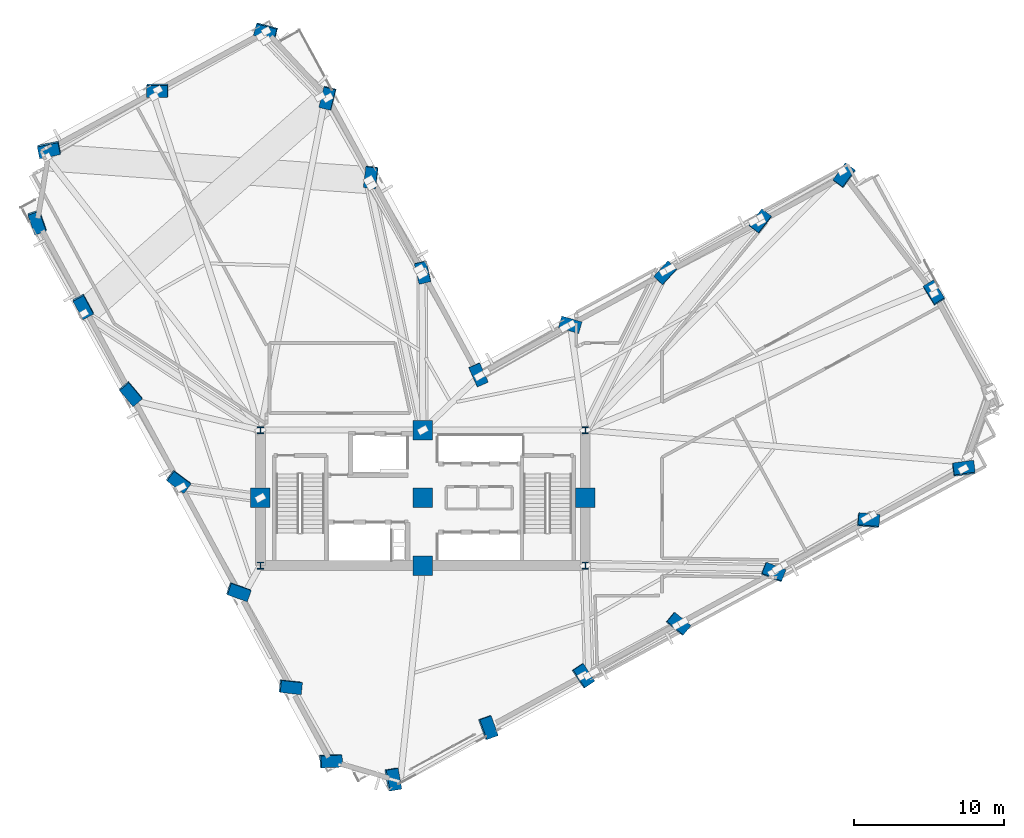
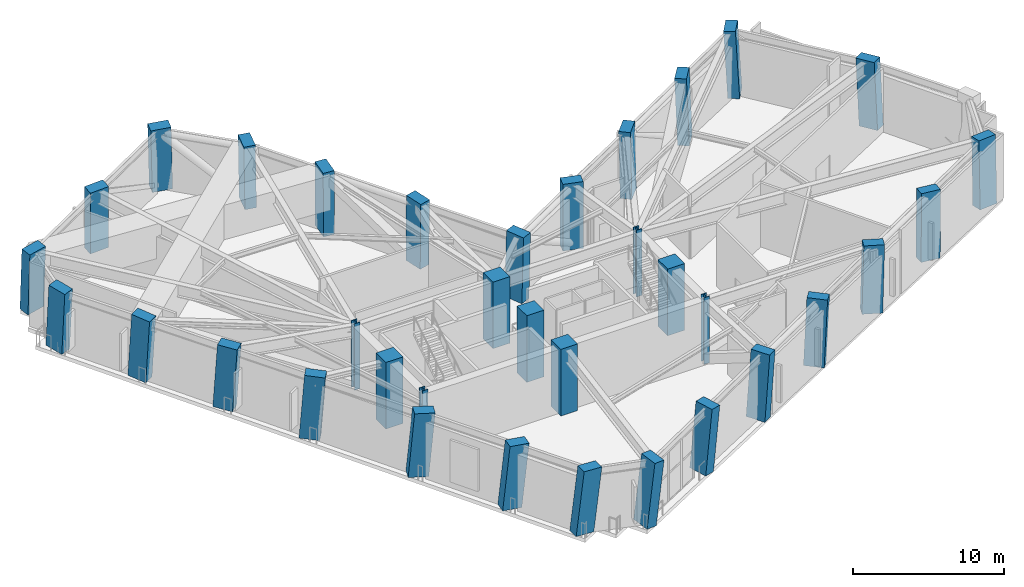
# One storey, part 1 of 15: 35 columns.
"""IFC4 building model written with IfcOpenShell, lengths in metres."""

from ifc_helpers import new_model, si_unit, direction, frame, origin, origin_2d, place, context, subcontext, project, spatial, rectangle, i_section, extrude, material, material_profile, profile_set, type_object, element, save


model = new_model("IFC4")

# Units and contexts
model_context = context("Model", 3, precision=1e-05, world=origin(), true_north=direction((0.0, 1.0)))
body_context = subcontext(model_context, "Body", "Model", "MODEL_VIEW")
ifc_project = project(units=[si_unit("LENGTHUNIT", "METRE"), si_unit("AREAUNIT", "SQUARE_METRE"), si_unit("VOLUMEUNIT", "CUBIC_METRE"), si_unit("PLANEANGLEUNIT", "RADIAN"), si_unit("MASSUNIT", "GRAM", prefix="KILO")], contexts=[model_context])

# Site, building, storey
site_placement = place(None, origin())
site = spatial("IfcSite", under=ifc_project, at=site_placement, CompositionType="ELEMENT")
building_placement = place(site_placement, origin())
building = spatial("IfcBuilding", under=site, at=building_placement, Name="Gaonmaruhae Medical Tower", CompositionType="ELEMENT")
storey_placement = place(building_placement, frame((0.0, 0.0, 144.39990234375)))
storey = spatial("IfcBuildingStorey", under=building, at=storey_placement, Name="L34", CompositionType="ELEMENT", Elevation=144.39990234375)

# Columns
ifc_material_1 = material(Name="Concrete C60/75", Category="concrete")
ifc_material_profile_1 = material_profile(ifc_material_1, rectangle(XDim=1.300048828125, YDim=1.300048828125, at=origin_2d()), Name="RC-1300x1300")
ifc_profile_set_1 = profile_set([ifc_material_profile_1], Name="Concrete C60/75")
column_type_1 = type_object("IfcColumnType", Name="CC-03 Zone 2 Core Column (RC-1300x1300)", PredefinedType="COLUMN", material=ifc_profile_set_1)
for number, where, z_axis, x_axis, name in (
    (1, (14.0, 12.300048828125, 0.0), (0.0, 0.0, 1.0), (1.0, 0.0, 0.0), "L34 Plumb Core Column CC12"),
    (2, (24.800048828125, 7.800048828125, 0.0), (0.0, 0.0, 1.0), (1.0, 0.0, 0.0), "L34 Plumb Core Column CC21"),
    (3, (24.800048828125, 12.300048828125, 0.0), (0.0, 0.0, 1.0), (1.0, 0.0, 0.0), "L34 Plumb Core Column CC22"),
    (4, (24.800048828125, 16.800048828125, 0.0), (0.0, 0.0, 1.0), (1.0, 0.0, 0.0), "L34 Plumb Core Column CC23"),
    (5, (35.60009765625, 12.300048828125, 0.0), (0.0, 0.0, 1.0), (1.0, 0.0, 0.0), "L34 Plumb Core Column CC32"),
):
    element("IfcColumn", number, at=place(storey_placement, frame(where, z_axis=z_axis, x_axis=x_axis)), inside=storey, type_object=column_type_1, Name=name, PredefinedType="COLUMN", context=body_context, shape_type="SweptSolid", body=[
        extrude(rectangle(XDim=1.300048828125, YDim=1.300048828125, at=origin_2d()), origin(), (0.0, 0.0, 1.0), 5.400146484375),
    ])
ifc_material_2 = material(Name="Steel HSA650 (650 MPa)", Category="steel")
ifc_material_profile_2 = material_profile(ifc_material_2, i_section(OverallWidth=0.4169921875, OverallDepth=0.4580078125, WebThickness=0.030029296875, FlangeThickness=0.050048828125, FilletRadius=0.02197265625, at=origin_2d()), Name="H-458x417x30x50")
ifc_profile_set_2 = profile_set([ifc_material_profile_2], Name="Steel HSA650 (650 MPa)")
column_type_2 = type_object("IfcColumnType", Name="SC-03 Refuge Core Collector Column (H-458x417x30x50)", PredefinedType="COLUMN", material=ifc_profile_set_2)
for number, where, z_axis, x_axis, name in (
    (6, (14.0, 7.800048828125, 0.0), (0.0, 0.0, 1.0), (1.0, 0.0, 0.0), "L34 Plumb Core Column CC11"),
    (7, (14.0, 16.800048828125, 0.0), (0.0, 0.0, 1.0), (1.0, 0.0, 0.0), "L34 Plumb Core Column CC13"),
    (8, (35.60009765625, 7.800048828125, 0.0), (0.0, 0.0, 1.0), (1.0, 0.0, 0.0), "L34 Plumb Core Column CC31"),
    (9, (35.60009765625, 16.800048828125, 0.0), (0.0, 0.0, 1.0), (1.0, 0.0, 0.0), "L34 Plumb Core Column CC33"),
):
    element("IfcColumn", number, at=place(storey_placement, frame(where, z_axis=z_axis, x_axis=x_axis)), inside=storey, type_object=column_type_2, Name=name, PredefinedType="COLUMN", context=body_context, shape_type="SweptSolid", body=[
        extrude(i_section(OverallWidth=0.4169921875, OverallDepth=0.4580078125, WebThickness=0.030029296875, FlangeThickness=0.050048828125, FilletRadius=0.02197265625, at=origin_2d()), origin(), (0.0, 0.0, 1.0), 5.400146484375),
    ])
ifc_material_profile_3 = material_profile(ifc_material_1, rectangle(XDim=1.39990234375, YDim=0.800048828125, at=origin_2d()), Name="RC-1400x800")
ifc_profile_set_3 = profile_set([ifc_material_profile_3], Name="Concrete C60/75")
column_type_3 = type_object("IfcColumnType", Name="TC-02 Mid Raking Tube Pier Column (RC-1400x800)", PredefinedType="COLUMN", material=ifc_profile_set_3)
column_1_placement = place(storey_placement, frame((22.780517578125, -6.398681640625, 0.07177734375), z_axis=(0.095557691523, -0.032299239059, 0.994899737032), x_axis=(-0.168322755438, 0.984556200486, 0.048130427866)))
element("IfcColumn", 10, at=column_1_placement, inside=storey, type_object=column_type_3, Name="L34 Perimeter Tube Column S01", PredefinedType="COLUMN", context=body_context, shape_type="SweptSolid", body=[
    extrude(rectangle(XDim=1.39990234375, YDim=0.800048828125, at=origin_2d()), origin(), (0.0, 0.0, 1.0), 5.283447265625),
])
column_2_placement = place(storey_placement, frame((29.1064453125, -2.961669921875, 0.0615234375), z_axis=(0.08504089175, -0.013044212664, 0.996292073263), x_axis=(-0.336652588726, 0.940733607204, 0.041052585567)))
element("IfcColumn", 11, at=column_2_placement, inside=storey, type_object=column_type_3, Name="L34 Perimeter Tube Column S02", PredefinedType="COLUMN", context=body_context, shape_type="SweptSolid", body=[
    extrude(rectangle(XDim=1.39990234375, YDim=0.800048828125, at=origin_2d()), origin(), (0.0, 0.0, 1.0), 5.296630859375),
])
column_3_placement = place(storey_placement, frame((35.4326171875, 0.47509765625, 0.0537109375), z_axis=(0.074426000124, 0.006209833138, 0.997207204385), x_axis=(-0.54724986792, 0.836210277261, 0.035636417679)))
element("IfcColumn", 12, at=column_3_placement, inside=storey, type_object=column_type_3, Name="L34 Perimeter Tube Column S03", PredefinedType="COLUMN", context=body_context, shape_type="SweptSolid", body=[
    extrude(rectangle(XDim=1.39990234375, YDim=0.800048828125, at=origin_2d()), origin(), (0.0, 0.0, 1.0), 5.3076171875),
])
column_4_placement = place(storey_placement, frame((41.75927734375, 3.91162109375, 0.0498046875), z_axis=(0.063776804062, 0.025501531884, 0.99763830677), x_axis=(-0.7682895602, 0.639262855709, 0.032774273427)))
element("IfcColumn", 13, at=column_4_placement, inside=storey, type_object=column_type_3, Name="L34 Perimeter Tube Column S04", PredefinedType="COLUMN", context=body_context, shape_type="SweptSolid", body=[
    extrude(rectangle(XDim=1.39990234375, YDim=0.800048828125, at=origin_2d()), origin(), (0.0, 0.0, 1.0), 5.313232421875),
])
column_5_placement = place(storey_placement, frame((48.086181640625, 7.34814453125, 0.05029296875), z_axis=(0.053125941919, 0.044807779732, 0.997582025284), x_axis=(-0.930461048704, 0.364886991686, 0.033162028627)))
element("IfcColumn", 14, at=column_5_placement, inside=storey, type_object=column_type_3, Name="L34 Perimeter Tube Column S05", PredefinedType="COLUMN", context=body_context, shape_type="SweptSolid", body=[
    extrude(rectangle(XDim=1.39990234375, YDim=0.800048828125, at=origin_2d()), origin(), (0.0, 0.0, 1.0), 5.3125),
])
column_6_placement = place(storey_placement, frame((54.413330078125, 10.784912109375, 0.05517578125), z_axis=(0.042381472399, 0.064055384993, 0.997045996156), x_axis=(-0.995431924026, 0.088159703718, 0.03664902822)))
element("IfcColumn", 15, at=column_6_placement, inside=storey, type_object=column_type_3, Name="L34 Perimeter Tube Column S06", PredefinedType="COLUMN", context=body_context, shape_type="SweptSolid", body=[
    extrude(rectangle(XDim=1.39990234375, YDim=0.800048828125, at=origin_2d()), origin(), (0.0, 0.0, 1.0), 5.305419921875),
])
column_7_placement = place(storey_placement, frame((60.740478515625, 14.22216796875, 0.063720703125), z_axis=(0.031683419261, 0.083290036659, 0.996021551342), x_axis=(-0.990370696394, -0.13174922103, 0.042520894643)))
element("IfcColumn", 16, at=column_7_placement, inside=storey, type_object=column_type_3, Name="L34 Perimeter Tube Column S07", PredefinedType="COLUMN", context=body_context, shape_type="SweptSolid", body=[
    extrude(rectangle(XDim=1.39990234375, YDim=0.800048828125, at=origin_2d()), origin(), (0.0, 0.0, 1.0), 5.293701171875),
])
column_8_placement = place(storey_placement, frame((58.777587890625, 25.901611328125, 0.064697265625), z_axis=(-0.004017809128, 0.07707728085, 0.997017025926), x_axis=(0.522123346517, -0.850168492141, 0.067828799135)))
element("IfcColumn", 17, at=column_8_placement, inside=storey, type_object=column_type_3, Name="L34 Perimeter Tube Column E02", PredefinedType="COLUMN", context=body_context, shape_type="SweptSolid", body=[
    extrude(rectangle(XDim=1.39990234375, YDim=0.800048828125, at=origin_2d()), origin(), (0.0, 0.0, 1.0), 5.28662109375),
])
column_9_placement = place(storey_placement, frame((52.829833984375, 33.708251953125, 0.047119140625), z_axis=(-0.027779118898, 0.058680518928, 0.997890233068), x_axis=(-0.590575981833, -0.806387200796, 0.030978897235)))
element("IfcColumn", 18, at=column_9_placement, inside=storey, type_object=column_type_3, Name="L34 Perimeter Tube Column E03", PredefinedType="COLUMN", context=body_context, shape_type="SweptSolid", body=[
    extrude(rectangle(XDim=1.39990234375, YDim=0.800048828125, at=origin_2d()), origin(), (0.0, 0.0, 1.0), 5.317138671875),
])
column_10_placement = place(storey_placement, frame((47.25, 30.677001953125, 0.033935546875), z_axis=(-0.018340056393, 0.041711050949, 0.99896137591), x_axis=(-0.612627114412, -0.790072981077, 0.021741740036)))
element("IfcColumn", 19, at=column_10_placement, inside=storey, type_object=column_type_3, Name="L34 Perimeter Tube Column EN01", PredefinedType="COLUMN", context=body_context, shape_type="SweptSolid", body=[
    extrude(rectangle(XDim=1.39990234375, YDim=0.800048828125, at=origin_2d()), origin(), (0.0, 0.0, 1.0), 5.338134765625),
])
column_11_placement = place(storey_placement, frame((40.923095703125, 27.240478515625, 0.018798828125), z_axis=(-0.007691901739, 0.022392992044, 0.999719654981), x_axis=(-0.676181801938, -0.736648172769, 0.011297799976)))
element("IfcColumn", 20, at=column_11_placement, inside=storey, type_object=column_type_3, Name="L34 Perimeter Tube Column EN02", PredefinedType="COLUMN", context=body_context, shape_type="SweptSolid", body=[
    extrude(rectangle(XDim=1.39990234375, YDim=0.800048828125, at=origin_2d()), origin(), (0.0, 0.0, 1.0), 5.364013671875),
])
column_12_placement = place(storey_placement, frame((34.595703125, 23.804443359375, 0.005615234375), z_axis=(0.003035354207, 0.003080658001, 0.999990648042), x_axis=(-0.960894058623, 0.276908558203, 0.002063612557)))
element("IfcColumn", 21, at=column_12_placement, inside=storey, type_object=column_type_3, Name="L34 Perimeter Tube Column EN03", PredefinedType="COLUMN", context=body_context, shape_type="SweptSolid", body=[
    extrude(rectangle(XDim=1.39990234375, YDim=0.800048828125, at=origin_2d()), origin(), (0.0, 0.0, 1.0), 5.388916015625),
])
column_13_placement = place(storey_placement, frame((28.48828125, 20.488037109375, 0.018798828125), z_axis=(0.013335984372, -0.015611749624, 0.999789190177), x_axis=(-0.40668285238, 0.913357262312, 0.019686771225)))
element("IfcColumn", 22, at=column_13_placement, inside=storey, type_object=column_type_3, Name="L34 Perimeter Tube Column KN01", PredefinedType="COLUMN", context=body_context, shape_type="SweptSolid", body=[
    extrude(rectangle(XDim=1.39990234375, YDim=0.800048828125, at=origin_2d()), origin(), (0.0, 0.0, 1.0), 5.364013671875),
])
column_14_placement = place(storey_placement, frame((24.789794921875, 27.29833984375, 0.025146484375), z_axis=(-0.007435569864, -0.027096493858, 0.999605168215), x_axis=(-0.227680354172, 0.973422777695, 0.024693160782)))
element("IfcColumn", 23, at=column_14_placement, inside=storey, type_object=column_type_3, Name="L34 Perimeter Tube Column NE01", PredefinedType="COLUMN", context=body_context, shape_type="SweptSolid", body=[
    extrude(rectangle(XDim=1.39990234375, YDim=0.800048828125, at=origin_2d()), origin(), (0.0, 0.0, 1.0), 5.35205078125),
])
column_15_placement = place(storey_placement, frame((21.353271484375, 33.625, 0.039794921875), z_axis=(-0.026768864824, -0.037769768177, 0.998927861503), x_axis=(0.118320896743, 0.992141615994, 0.040683893694)))
element("IfcColumn", 24, at=column_15_placement, inside=storey, type_object=column_type_3, Name="L34 Perimeter Tube Column NE02", PredefinedType="COLUMN", context=body_context, shape_type="SweptSolid", body=[
    extrude(rectangle(XDim=1.39990234375, YDim=0.800048828125, at=origin_2d()), origin(), (0.0, 0.0, 1.0), 5.326171875),
])
column_16_placement = place(storey_placement, frame((18.4892578125, 38.89697265625, 0.0537109375), z_axis=(-0.042858469452, -0.046679364151, 0.997990074379), x_axis=(0.241683469852, 0.968755702355, 0.055691018618)))
element("IfcColumn", 25, at=column_16_placement, inside=storey, type_object=column_type_3, Name="L34 Perimeter Tube Column NE03", PredefinedType="COLUMN", context=body_context, shape_type="SweptSolid", body=[
    extrude(rectangle(XDim=1.39990234375, YDim=0.800048828125, at=origin_2d()), origin(), (0.0, 0.0, 1.0), 5.303466796875),
])
column_17_placement = place(storey_placement, frame((14.37841796875, 43.3212890625, 0.05859375), z_axis=(-0.056191308569, -0.059277224695, 0.996658791901), x_axis=(0.964968344846, -0.259455544267, 0.038973247157)))
element("IfcColumn", 26, at=column_17_placement, inside=storey, type_object=column_type_3, Name="L34 Perimeter Tube Column N01", PredefinedType="COLUMN", context=body_context, shape_type="SweptSolid", body=[
    extrude(rectangle(XDim=1.39990234375, YDim=0.800048828125, at=origin_2d()), origin(), (0.0, 0.0, 1.0), 5.30078125),
])
column_18_placement = place(storey_placement, frame((7.172607421875, 39.40673828125, 0.06591796875), z_axis=(-0.044020783938, -0.081166204348, 0.995727983866), x_axis=(0.999028070465, -0.001326736352, 0.044058531442)))
element("IfcColumn", 27, at=column_18_placement, inside=storey, type_object=column_type_3, Name="L34 Perimeter Tube Column N02", PredefinedType="COLUMN", context=body_context, shape_type="SweptSolid", body=[
    extrude(rectangle(XDim=1.39990234375, YDim=0.800048828125, at=origin_2d()), origin(), (0.0, 0.0, 1.0), 5.291015625),
])
column_19_placement = place(storey_placement, frame((-0.033203125, 35.491455078125, 0.076416015625), z_axis=(-0.031824135874, -0.102919625464, 0.994180453977), x_axis=(0.979733809873, 0.193595915711, 0.051403143984)))
element("IfcColumn", 28, at=column_19_placement, inside=storey, type_object=column_type_3, Name="L34 Perimeter Tube Column N03", PredefinedType="COLUMN", context=body_context, shape_type="SweptSolid", body=[
    extrude(rectangle(XDim=1.39990234375, YDim=0.800048828125, at=origin_2d()), origin(), (0.0, 0.0, 1.0), 5.278076171875),
])
column_20_placement = place(storey_placement, frame((-0.831787109375, 30.675048828125, 0.088623046875), z_axis=(-0.017057311333, -0.105271962316, 0.994297169905), x_axis=(-0.331255070009, 0.938875062084, 0.093721376381)))
element("IfcColumn", 29, at=column_20_placement, inside=storey, type_object=column_type_3, Name="L34 Perimeter Tube Column W01", PredefinedType="COLUMN", context=body_context, shape_type="SweptSolid", body=[
    extrude(rectangle(XDim=1.39990234375, YDim=0.800048828125, at=origin_2d()), origin(), (0.0, 0.0, 1.0), 5.2529296875),
])
column_21_placement = place(storey_placement, frame((2.2236328125, 25.05224609375, 0.079833984375), z_axis=(0.0, -0.095898847551, 0.995391084468), x_axis=(-0.47715876026, 0.874766718822, 0.084277548312)))
element("IfcColumn", 30, at=column_21_placement, inside=storey, type_object=column_type_3, Name="L34 Perimeter Tube Column W02", PredefinedType="COLUMN", context=body_context, shape_type="SweptSolid", body=[
    extrude(rectangle(XDim=1.39990234375, YDim=0.800048828125, at=origin_2d()), origin(), (0.0, 0.0, 1.0), 5.2646484375),
])
column_22_placement = place(storey_placement, frame((5.374267578125, 19.25341796875, 0.073486328125), z_axis=(0.017638255782, -0.08620060962, 0.996121652628), x_axis=(-0.642961745818, 0.761985015323, 0.077324186629)))
element("IfcColumn", 31, at=column_22_placement, inside=storey, type_object=column_type_3, Name="L34 Perimeter Tube Column W03", PredefinedType="COLUMN", context=body_context, shape_type="SweptSolid", body=[
    extrude(rectangle(XDim=1.39990234375, YDim=0.800048828125, at=origin_2d()), origin(), (0.0, 0.0, 1.0), 5.273681640625),
])
column_23_placement = place(storey_placement, frame((8.548583984375, 13.410400390625, 0.070556640625), z_axis=(0.035432206998, -0.076368895241, 0.996449873575), x_axis=(-0.801394837231, 0.593542235105, 0.073986012231)))
element("IfcColumn", 32, at=column_23_placement, inside=storey, type_object=column_type_3, Name="L34 Perimeter Tube Column W04", PredefinedType="COLUMN", context=body_context, shape_type="SweptSolid", body=[
    extrude(rectangle(XDim=1.39990234375, YDim=0.800048828125, at=origin_2d()), origin(), (0.0, 0.0, 1.0), 5.278076171875),
])
column_24_placement = place(storey_placement, frame((12.534423828125, 6.072998046875, 0.072021484375), z_axis=(0.057798650848, -0.063999627, 0.996274743082), x_axis=(-0.940944222516, 0.329970469523, 0.07578561444)))
element("IfcColumn", 33, at=column_24_placement, inside=storey, type_object=column_type_3, Name="L34 Perimeter Tube Column W05", PredefinedType="COLUMN", context=body_context, shape_type="SweptSolid", body=[
    extrude(rectangle(XDim=1.39990234375, YDim=0.800048828125, at=origin_2d()), origin(), (0.0, 0.0, 1.0), 5.27587890625),
])
column_25_placement = place(storey_placement, frame((15.971923828125, -0.254150390625, 0.078125), z_axis=(0.076991724895, -0.053259176342, 0.995608223366), x_axis=(-0.991026445038, 0.105345962818, 0.082272798384)))
element("IfcColumn", 34, at=column_25_placement, inside=storey, type_object=column_type_3, Name="L34 Perimeter Tube Column W06", PredefinedType="COLUMN", context=body_context, shape_type="SweptSolid", body=[
    extrude(rectangle(XDim=1.39990234375, YDim=0.800048828125, at=origin_2d()), origin(), (0.0, 0.0, 1.0), 5.26708984375),
])
column_26_placement = place(storey_placement, frame((18.645751953125, -5.175048828125, 0.0849609375), z_axis=(0.091938775758, -0.044947845926, 0.99474969347), x_axis=(-0.994943313556, -0.044713129394, 0.089936304513)))
element("IfcColumn", 35, at=column_26_placement, inside=storey, type_object=column_type_3, Name="L34 Perimeter Tube Column W07", PredefinedType="COLUMN", context=body_context, shape_type="SweptSolid", body=[
    extrude(rectangle(XDim=1.39990234375, YDim=0.800048828125, at=origin_2d()), origin(), (0.0, 0.0, 1.0), 5.2578125),
])

save(model, "model.ifc")
